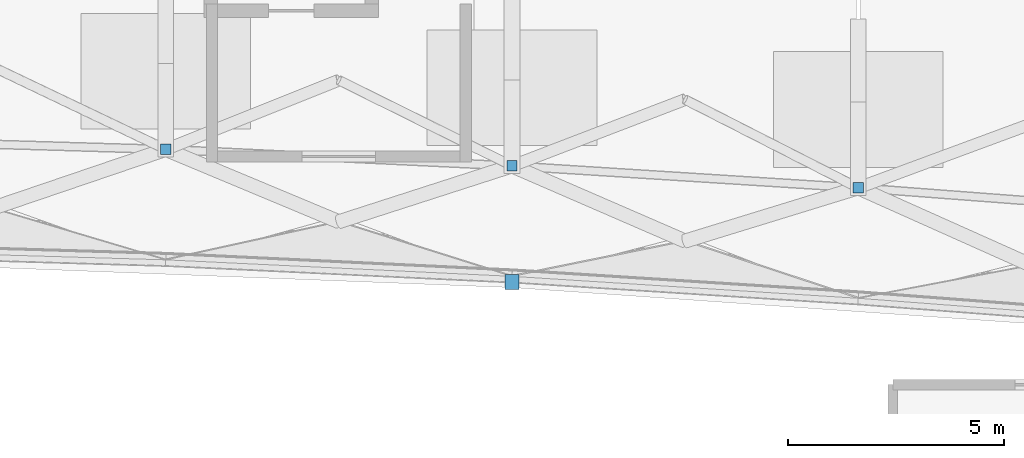
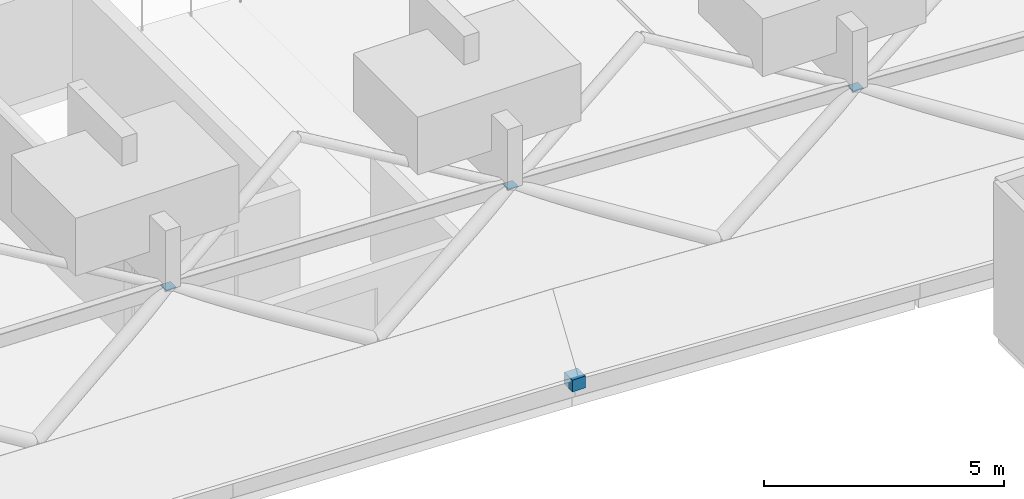
# One storey, part 56 of 67: 4 discrete accessories.
"""IFC4 building model written with IfcOpenShell, lengths in metres."""

from ifc_helpers import new_model, si_unit, direction, frame, origin, origin_2d, place, context, subcontext, project, spatial, rectangle, extrude, material, type_object, element, save


model = new_model("IFC4")

# Units and contexts
model_context = context("Model", 3, precision=1e-05, world=origin(), true_north=direction((0.0, 1.0)))
body_context = subcontext(model_context, "Body", "Model", "MODEL_VIEW")
ifc_project = project(units=[si_unit("LENGTHUNIT", "METRE"), si_unit("AREAUNIT", "SQUARE_METRE"), si_unit("VOLUMEUNIT", "CUBIC_METRE"), si_unit("PLANEANGLEUNIT", "RADIAN"), si_unit("MASSUNIT", "GRAM", prefix="KILO")], contexts=[model_context])

# Site, building, storey
site_placement = place(None, origin())
site = spatial("IfcSite", under=ifc_project, at=site_placement, CompositionType="ELEMENT")
building_placement = place(site_placement, origin())
building = spatial("IfcBuilding", under=site, at=building_placement, Name="Kenh Van Central Station", CompositionType="ELEMENT")
storey_placement = place(building_placement, frame((0.0, 0.0, 10.800048828125)))
storey = spatial("IfcBuildingStorey", under=building, at=storey_placement, Name="L02", CompositionType="ELEMENT", Elevation=10.800048828125)

# Discrete accessories
ifc_material = material(Name="White fluoropolymer structural steel S355", Category="steel")
discrete_accessory_type_1 = type_object("IfcDiscreteAccessoryType", Name="ACC-BRKT-STL", PredefinedType="BRACKET", material=ifc_material)
discrete_accessory_placement = place(storey_placement, frame((112.0, 66.371826171875, 0.2900390625), z_axis=(0.0, 0.0, 1.0), x_axis=(1.0, 0.0, 0.0)))
element("IfcDiscreteAccessory", 1, at=discrete_accessory_placement, inside=storey, type_object=discrete_accessory_type_1, Name="Barrel curb bracket 07-2", PredefinedType="BRACKET", context=body_context, shape_type="SweptSolid", body=[
    extrude(rectangle(XDim=0.320068359375, YDim=0.340087890625, at=origin_2d()), origin(), (0.0, 0.0, 1.0), 0.300048828125),
])
discrete_accessory_type_2 = type_object("IfcDiscreteAccessoryType", Name="ACC-END-NODE-VLT", PredefinedType="BRACKET", material=ifc_material)
for number, where, z_axis, x_axis, name in (
    (2, (104.0, 69.435546875, 3.74951171875), (0.0, 0.0, 1.0), (1.0, 0.0, 0.0), "L02 brace end connection node plate 0189"),
    (3, (112.0, 69.05419921875, 3.74951171875), (0.0, 0.0, 1.0), (1.0, 0.0, 0.0), "L02 brace end connection node plate 0210"),
    (4, (120.0, 68.547607421875, 3.74951171875), (0.0, 0.0, 1.0), (1.0, 0.0, 0.0), "L02 brace end connection node plate 0231"),
):
    element("IfcDiscreteAccessory", number, at=place(storey_placement, frame(where, z_axis=z_axis, x_axis=x_axis)), inside=storey, type_object=discrete_accessory_type_2, Name=name, PredefinedType="BRACKET", context=body_context, shape_type="SweptSolid", body=[
        extrude(rectangle(XDim=0.239990234375, YDim=0.239990234375, at=origin_2d()), origin(), (0.0, 0.0, 1.0), 0.02490234375),
    ])

save(model, "model.ifc")
